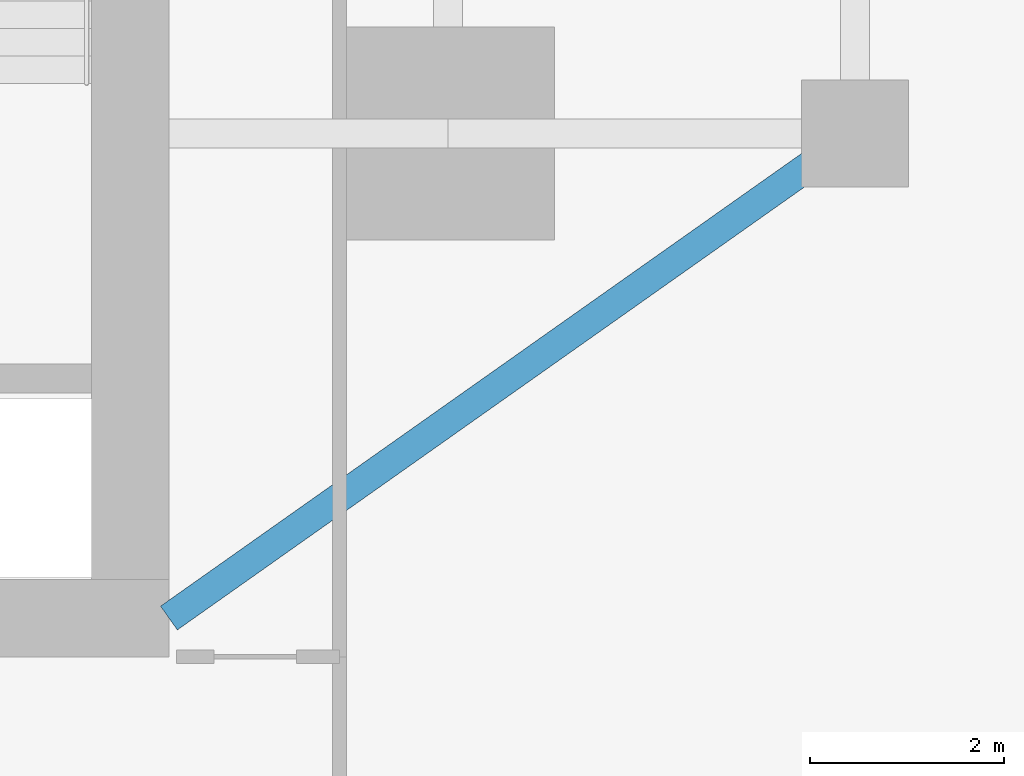
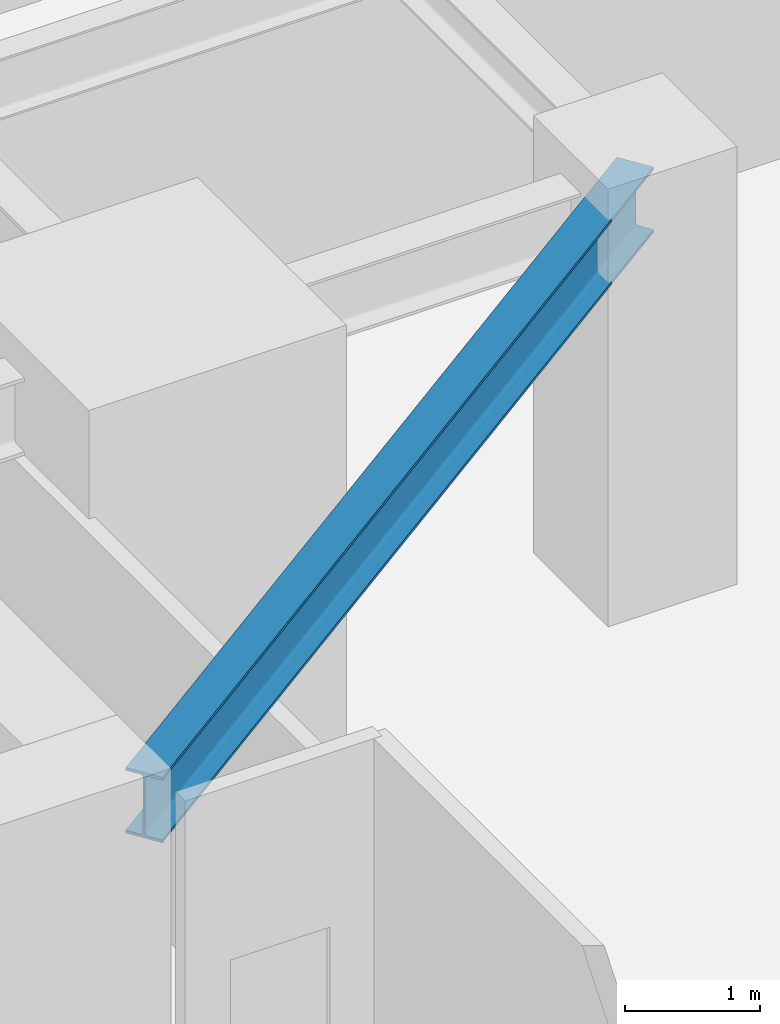
# One storey, part 11 of 29: 1 beam.
"""IFC4 building model written with IfcOpenShell, lengths in metres."""

from ifc_helpers import new_model, si_unit, direction, frame, origin, origin_2d, place, context, subcontext, project, spatial, i_section, extrude, source, transform, mapped, material, material_profile, profile_set, type_object, type_shapes, element, save


model = new_model("IFC4")

# Units and contexts
model_context = context("Model", 3, precision=1e-05, world=origin(), true_north=direction((0.0, 1.0)))
body_context = subcontext(model_context, "Body", "Model", "MODEL_VIEW")
ifc_project = project(units=[si_unit("LENGTHUNIT", "METRE"), si_unit("AREAUNIT", "SQUARE_METRE"), si_unit("VOLUMEUNIT", "CUBIC_METRE"), si_unit("PLANEANGLEUNIT", "RADIAN"), si_unit("MASSUNIT", "GRAM", prefix="KILO")], contexts=[model_context])

# Site, building, storey
site_placement = place(None, origin())
site = spatial("IfcSite", under=ifc_project, at=site_placement, CompositionType="ELEMENT")
building_placement = place(site_placement, origin())
building = spatial("IfcBuilding", under=site, at=building_placement, Name="Krantzveldt Concourse Tower", CompositionType="ELEMENT")
storey_placement = place(building_placement, frame((0.0, 0.0, 68.449951171875)))
storey = spatial("IfcBuildingStorey", under=building, at=storey_placement, Name="L16", CompositionType="ELEMENT", Elevation=68.449951171875)

# Beam
ifc_material = material(Name="Steel S355JR", Category="steel")
ifc_material_profile = material_profile(ifc_material, i_section(OverallWidth=0.300048828125, OverallDepth=0.590087890625, WebThickness=0.012939453125, FlangeThickness=0.02490234375, FilletRadius=0.027099609375, at=origin_2d()), Name="Steel S355JR", Category="steel")
ifc_profile_set = profile_set([ifc_material_profile], Name="Steel S355JR - HEA 600")
beam_type = type_object("IfcBeamType", Name="BM-B-HEA600", PredefinedType="BEAM", material=ifc_profile_set)
shared_shape = source(origin(), body_context, "Body", "SweptSolid", [
    extrude(i_section(OverallWidth=0.300048828125, OverallDepth=0.590087890625, WebThickness=0.012939453125, FlangeThickness=0.02490234375, FilletRadius=0.027099609375, at=origin_2d()), origin(), (0.0, 0.0, 1.0), 8.667724609375),
])
type_shapes(beam_type, [shared_shape])
beam_placement = place(storey_placement, frame((51.0, 15.89990234375, 3.375), z_axis=(-0.81684294656, -0.576860122261, 0.0), x_axis=(0.576860122261, -0.81684294656, 0.0)))
element("IfcBeam", 1, at=beam_placement, inside=storey, type_object=beam_type, Name="L16 Tower Girder BR-CSE", PredefinedType="BEAM", context=body_context, shape_type="MappedRepresentation", body=[
    mapped(shared_shape, transform((0.0, 0.0, 0.0), x_axis=(1.0, 0.0, 0.0), y_axis=(0.0, 1.0, 0.0), z_axis=(0.0, 0.0, 1.0), scale=1.0)),
])

save(model, "model.ifc")
